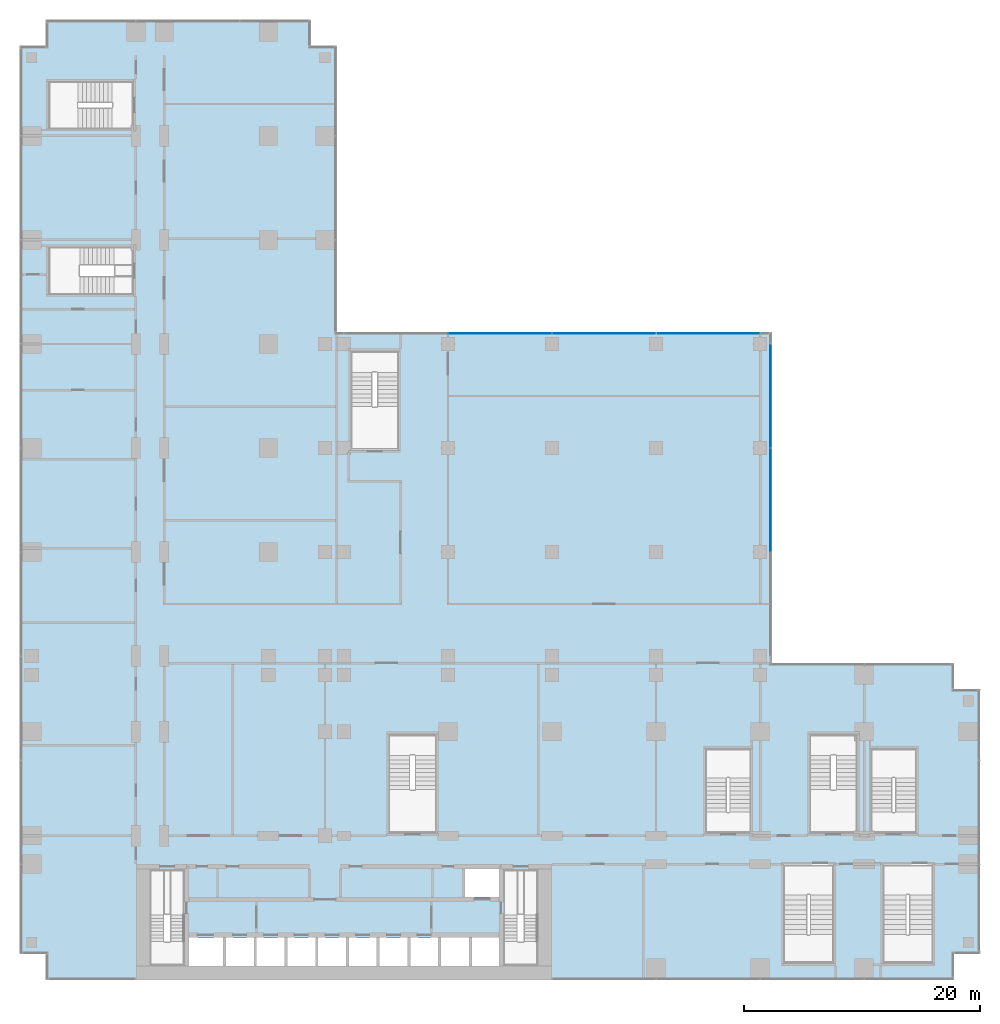
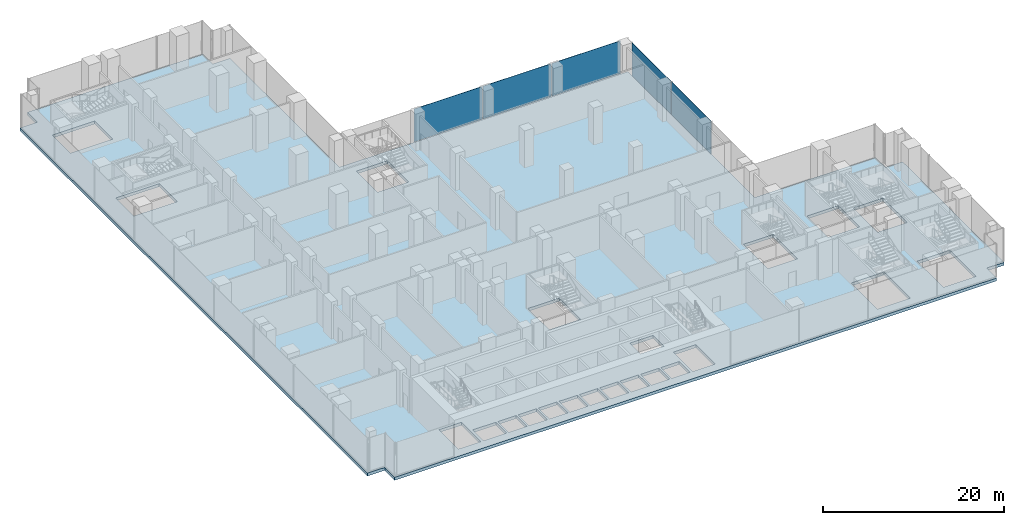
# One storey, part 15 of 30: 5 plates, 1 slab, 2 elements without a shape of their own.
"""IFC4 building model written with IfcOpenShell, lengths in metres."""

import ifcopenshell
import ifcopenshell.guid

model = None  # the IFC model being written
_history = None  # IfcOwnerHistory: only IFC2X3 demands one
_inside = {}  # id of a spatial element -> (the spatial element, [elements in it])
_under = {}  # id of a project, library or spatial element -> (it, [spatial elements below it])
_declared = {}  # id of a project -> (the project, [libraries it declares])
_typed = {}  # id of a type object -> (the type object, [elements of that type])
_made_of = {}  # id of a material, layer set ... -> (it, [elements and type objects made of it])


def new_model(schema):
    """Start an empty IFC model of exactly this schema.

    Asked for "IFC4X3", IfcOpenShell would pick the latest addendum, in which some entities
    have other attributes; the version numbers below select the first issue.
    IFC2X3 requires an IfcOwnerHistory on every rooted entity: one is made here for all.
    """
    global model, _history
    if schema == "IFC4X3":
        model = ifcopenshell.file(schema_version=(4, 3, 0, 0))
    else:
        model = ifcopenshell.file(schema=schema)
    _inside.clear()
    _under.clear()
    _declared.clear()
    _typed.clear()
    _made_of.clear()
    _history = None
    if model.schema == "IFC2X3":
        org = make("IfcOrganization", Name="unknown")
        user = make(
            "IfcPersonAndOrganization",
            ThePerson=make("IfcPerson", FamilyName="unknown"),
            TheOrganization=org,
        )
        app = make(
            "IfcApplication",
            ApplicationDeveloper=org,
            Version="unknown",
            ApplicationFullName="unknown",
            ApplicationIdentifier="unknown",
        )
        _history = make(
            "IfcOwnerHistory",
            OwningUser=user,
            OwningApplication=app,
            ChangeAction="ADDED",
            CreationDate=0,
        )
    return model


def make(cls, **values):
    """One entity of the class cls with the attributes given. An attribute that is None is left unset."""
    return model.create_entity(
        cls, **{name: value for name, value in values.items() if value is not None}
    )


def rooted(cls, **values):
    """An entity with a GlobalId (a new one), such as an element, a storey or a relation."""
    return make(cls, GlobalId=ifcopenshell.guid.new(), OwnerHistory=_history, **values)


def si_unit(unit_type, name, prefix=None):
    """IfcSIUnit, for example si_unit("LENGTHUNIT", "METRE", prefix="MILLI")."""
    return make("IfcSIUnit", UnitType=unit_type, Prefix=prefix, Name=name)


def assignment(units):
    """IfcUnitAssignment: the units of a project."""
    return None if units is None else make("IfcUnitAssignment", Units=units)


def point(xyz):
    """IfcCartesianPoint."""
    return None if xyz is None else make("IfcCartesianPoint", Coordinates=xyz)


def direction(xyz):
    """IfcDirection."""
    return None if xyz is None else make("IfcDirection", DirectionRatios=xyz)


def frame(location, z_axis=None, x_axis=None):
    """IfcAxis2Placement3D, a coordinate frame: its origin and axes. An axis left out is left unset."""
    return make(
        "IfcAxis2Placement3D",
        Location=point(location),
        Axis=direction(z_axis),
        RefDirection=direction(x_axis),
    )


def frame_2d(location, x_axis=None):
    """IfcAxis2Placement2D, a coordinate frame in the plane: its origin and x axis."""
    return make(
        "IfcAxis2Placement2D", Location=point(location), RefDirection=direction(x_axis)
    )


def origin():
    """The frame at (0, 0, 0) with its axes left unset."""
    return frame((0.0, 0.0, 0.0))


def origin_2d():
    """The frame at (0, 0) in the plane with its x axis left unset."""
    return frame_2d((0.0, 0.0))


def place(relative_to, where):
    """IfcLocalPlacement: puts the frame where relative to a parent placement (None: the world)."""
    return make(
        "IfcLocalPlacement", PlacementRelTo=relative_to, RelativePlacement=where
    )


def context(
    kind, dimensions, precision=None, world=None, true_north=None, identifier=None
):
    """IfcGeometricRepresentationContext, for example the 3D "Model" context."""
    return make(
        "IfcGeometricRepresentationContext",
        ContextIdentifier=identifier,
        ContextType=kind,
        CoordinateSpaceDimension=dimensions,
        Precision=precision,
        WorldCoordinateSystem=world,
        TrueNorth=true_north,
    )


def subcontext(parent, identifier, kind, view, scale=None):
    """IfcGeometricRepresentationSubContext, for example "Body" below "Model"."""
    return make(
        "IfcGeometricRepresentationSubContext",
        ContextIdentifier=identifier,
        ContextType=kind,
        ParentContext=parent,
        TargetScale=scale,
        TargetView=view,
    )


def project(units=None, contexts=None):
    """IfcProject with its units and contexts."""
    return rooted(
        "IfcProject",
        Name="project",
        RepresentationContexts=contexts,
        UnitsInContext=assignment(units),
    )


def spatial(cls, under=None, at=None, **own):
    """A site, building, storey or space (cls), placed at a placement, below another one or the project."""
    s = rooted(cls, ObjectPlacement=at, **own)
    if under is not None:
        _under.setdefault(under.id(), (under, []))[1].append(s)
    return s


def polyline(points):
    """IfcPolyline through the points."""
    return make("IfcPolyline", Points=[point(p) for p in points])


def profile(cls, at=None, kind="AREA", **sizes):
    """A parametric profile (cls). Its sizes go by their IFC names, for example OverallWidth=200.0."""
    return make(cls, ProfileType=kind, Position=at, **sizes)


def rectangle(**sizes):
    """IfcRectangleProfileDef."""
    return profile("IfcRectangleProfileDef", **sizes)


def outline(outer, holes=None, kind="AREA"):
    """IfcArbitraryClosedProfileDef: a profile drawn as a closed curve; with holes, ...WithVoids."""
    if holes is None:
        return make("IfcArbitraryClosedProfileDef", ProfileType=kind, OuterCurve=outer)
    return make(
        "IfcArbitraryProfileDefWithVoids",
        ProfileType=kind,
        OuterCurve=outer,
        InnerCurves=holes,
    )


def extrude(swept, where, along, depth):
    """IfcExtrudedAreaSolid: the profile swept, set in the frame where, extruded along a direction by depth."""
    return make(
        "IfcExtrudedAreaSolid",
        SweptArea=swept,
        Position=where,
        ExtrudedDirection=direction(along),
        Depth=depth,
    )


def shape(context_of_items, identifier, shape_type, items):
    """IfcShapeRepresentation: the items that make up one representation, for example the "Body"."""
    return make(
        "IfcShapeRepresentation",
        ContextOfItems=context_of_items,
        RepresentationIdentifier=identifier,
        RepresentationType=shape_type,
        Items=items,
    )


def source(mapping_origin, context_of_items, identifier, shape_type, items):
    """IfcRepresentationMap: a shape defined once, which mapped items show again and again."""
    return make(
        "IfcRepresentationMap",
        MappingOrigin=mapping_origin,
        MappedRepresentation=shape(context_of_items, identifier, shape_type, items),
    )


def transform(
    local_origin,
    x_axis=None,
    y_axis=None,
    z_axis=None,
    scale=None,
    scale2=None,
    scale3=None,
    uniform=True,
):
    """IfcCartesianTransformationOperator3D, or its non-uniform kind. x_axis, y_axis, z_axis: its Axis1, 2, 3."""
    if uniform:
        return make(
            "IfcCartesianTransformationOperator3D",
            Axis1=direction(x_axis),
            Axis2=direction(y_axis),
            LocalOrigin=point(local_origin),
            Scale=scale,
            Axis3=direction(z_axis),
        )
    return make(
        "IfcCartesianTransformationOperator3DnonUniform",
        Axis1=direction(x_axis),
        Axis2=direction(y_axis),
        LocalOrigin=point(local_origin),
        Scale=scale,
        Axis3=direction(z_axis),
        Scale2=scale2,
        Scale3=scale3,
    )


def mapped(mapping_source, mapping_target):
    """IfcMappedItem: shows the shape of a source again, moved by a transform."""
    return make(
        "IfcMappedItem", MappingSource=mapping_source, MappingTarget=mapping_target
    )


def material(Name=None, Category=None):
    """IfcMaterial."""
    return make("IfcMaterial", Name=Name, Category=Category)


def layer(
    of_material, thickness, ventilated=None, Name=None, Category=None, Priority=None
):
    """IfcMaterialLayer: one layer of a wall or slab, of a material (None: an air gap)."""
    return make(
        "IfcMaterialLayer",
        Material=of_material,
        LayerThickness=thickness,
        IsVentilated=ventilated,
        Name=Name,
        Category=Category,
        Priority=Priority,
    )


def layer_set(layers, Name=None):
    """IfcMaterialLayerSet."""
    return make("IfcMaterialLayerSet", MaterialLayers=layers, LayerSetName=Name)


def made_of(thing, what):
    """Note that an element or type object is made of a material, layer set ...; save() writes the relation."""
    if what is not None:
        _made_of.setdefault(what.id(), (what, []))[1].append(thing)
    return thing


def type_object(cls, material=None, **own):
    """A type object (cls), such as IfcWallType, which elements share."""
    return made_of(rooted(cls, **own), material)


def element(
    cls,
    number,
    at=None,
    inside=None,
    cuts=None,
    type_object=None,
    material=None,
    context=None,
    identifier="Body",
    shape_type=None,
    held_by="IfcProductDefinitionShape",
    body=None,
    shapes=None,
    **own,
):
    """One element of the class cls, such as IfcWall. Its Tag is "e" and its number.

    at: its placement. inside: the storey or other place that contains it. cuts: it is an
    opening in that element (IfcRelVoidsElement). A single representation is given by context,
    identifier, shape_type and body (its items); several are given by shapes. held_by: the class
    of the entity that holds the representations. save() writes the other relations.
    """
    e = rooted(cls, Tag="e%d" % number, ObjectPlacement=at, **own)
    if body is not None:
        shapes = [shape(context, identifier, shape_type, body)]
    if shapes is not None:
        e.Representation = make(held_by, Representations=shapes)
    if inside is not None:
        _inside.setdefault(inside.id(), (inside, []))[1].append(e)
    if cuts is not None:
        rooted(
            "IfcRelVoidsElement", RelatingBuildingElement=cuts, RelatedOpeningElement=e
        )
    if type_object is not None:
        _typed.setdefault(type_object.id(), (type_object, []))[1].append(e)
    return made_of(e, material)


def aggregate(whole, parts):
    """IfcRelAggregates: a whole, such as a stair, and the parts it consists of."""
    return rooted("IfcRelAggregates", RelatingObject=whole, RelatedObjects=parts)


def save(model, path):
    """Write the relations noted so far, then the file.

    IfcRelAggregates (storeys below a building ...), IfcRelContainedInSpatialStructure (elements
    in a storey), IfcRelDefinesByType, IfcRelAssociatesMaterial and IfcRelDeclares: one each for
    every whole, place, type object, material and project.
    """
    for whole, parts in _under.values():
        aggregate(whole, parts)
    for where, things in _inside.values():
        rooted(
            "IfcRelContainedInSpatialStructure",
            RelatedElements=things,
            RelatingStructure=where,
        )
    for kind, things in _typed.values():
        rooted("IfcRelDefinesByType", RelatedObjects=things, RelatingType=kind)
    for what, things in _made_of.values():
        rooted("IfcRelAssociatesMaterial", RelatedObjects=things, RelatingMaterial=what)
    for by, libraries in _declared.values():
        rooted("IfcRelDeclares", RelatingContext=by, RelatedDefinitions=libraries)
    model.write(path)


model = new_model("IFC4")

# Units and contexts
model_context = context("Model", 3, precision=1e-05, world=origin(), true_north=direction((0.0, 1.0)))
body_context = subcontext(model_context, "Body", "Model", "MODEL_VIEW")
ifc_project = project(units=[si_unit("LENGTHUNIT", "METRE"), si_unit("AREAUNIT", "SQUARE_METRE"), si_unit("VOLUMEUNIT", "CUBIC_METRE"), si_unit("PLANEANGLEUNIT", "RADIAN"), si_unit("MASSUNIT", "GRAM", prefix="KILO")], contexts=[model_context])

# Site, building, storey
site_placement = place(None, origin())
site = spatial("IfcSite", under=ifc_project, at=site_placement, CompositionType="ELEMENT")
building_placement = place(site_placement, origin())
building = spatial("IfcBuilding", under=site, at=building_placement, Name="Kemantara Hotel Tower", CompositionType="ELEMENT")
storey_placement = place(building_placement, frame((0.0, 0.0, 13.0)))
storey = spatial("IfcBuildingStorey", under=building, at=storey_placement, Name="L02", CompositionType="ELEMENT", Elevation=13.0)

# Slab
ifc_material_1 = material(Name="Concrete fc 40 MPa", Category="concrete")
ifc_layer_1 = layer(ifc_material_1, 0.39990234375)
ifc_layer_set_1 = layer_set([ifc_layer_1], Name="Concrete fc 40 MPa")
slab_type = type_object("IfcSlabType", Name="REINFORCED DECK SLAB 400", PredefinedType="FLOOR", material=ifc_layer_set_1)
slab_placement = place(storey_placement, frame((0.0, 0.0, -0.39990234375)))
element("IfcSlab", 1, at=slab_placement, inside=storey, type_object=slab_type, Name="FLOOR SLAB L02", PredefinedType="FLOOR", context=body_context, shape_type="SweptSolid", body=[
    extrude(outline(polyline([(0.0, 2.199951171875), (2.199951171875, 2.199951171875), (2.199951171875, 0.0), (79.0, 0.0), (79.0, 2.199951171875), (81.199951171875, 2.199951171875), (81.199951171875, 24.60009765625), (79.0, 24.60009765625), (79.0, 26.800048828125), (63.60009765625, 26.800048828125), (63.60009765625, 54.800048828125), (26.800048828125, 54.800048828125), (26.800048828125, 79.0), (24.60009765625, 79.0), (24.60009765625, 81.199951171875), (2.199951171875, 81.199951171875), (2.199951171875, 79.0), (0.0, 79.0), (0.0, 2.199951171875)]), holes=[polyline([(17.175048828125, 1.199951171875), (14.22509765625, 1.199951171875), (14.22509765625, 3.60009765625), (17.175048828125, 3.60009765625), (17.175048828125, 1.199951171875)]), polyline([(19.77490234375, 1.199951171875), (17.425048828125, 1.199951171875), (17.425048828125, 3.60009765625), (19.77490234375, 3.60009765625), (19.77490234375, 1.199951171875)]), polyline([(22.375, 1.199951171875), (20.02490234375, 1.199951171875), (20.02490234375, 3.60009765625), (22.375, 3.60009765625), (22.375, 1.199951171875)]), polyline([(22.625, 1.199951171875), (22.625, 3.60009765625), (24.97509765625, 3.60009765625), (24.97509765625, 1.199951171875), (22.625, 1.199951171875)]), polyline([(25.22509765625, 1.199951171875), (25.22509765625, 3.60009765625), (27.574951171875, 3.60009765625), (27.574951171875, 1.199951171875), (25.22509765625, 1.199951171875)]), polyline([(30.175048828125, 1.199951171875), (27.824951171875, 1.199951171875), (27.824951171875, 3.60009765625), (30.175048828125, 3.60009765625), (30.175048828125, 1.199951171875)]), polyline([(30.425048828125, 1.199951171875), (30.425048828125, 3.60009765625), (32.77490234375, 3.60009765625), (32.77490234375, 1.199951171875), (30.425048828125, 1.199951171875)]), polyline([(11.0, 5.49951171875), (13.89990234375, 5.49951171875), (13.89990234375, 1.199951171875), (11.0, 1.199951171875), (11.0, 5.49951171875)]), polyline([(32.0, 53.199951171875), (32.0, 48.50048828125), (28.0, 48.50048828125), (28.0, 53.199951171875), (32.0, 53.199951171875)]), polyline([(7.949462890625, 62.0), (7.949462890625, 58.0), (2.39990234375, 58.0), (2.39990234375, 62.0), (7.949462890625, 62.0)]), polyline([(7.79931640625, 76.0), (7.79931640625, 72.0), (2.39990234375, 72.0), (2.39990234375, 76.0), (7.79931640625, 76.0)]), polyline([(35.375, 1.199951171875), (33.02490234375, 1.199951171875), (33.02490234375, 3.60009765625), (35.375, 3.60009765625), (35.375, 1.199951171875)]), polyline([(37.97509765625, 1.199951171875), (35.625, 1.199951171875), (35.625, 3.60009765625), (37.97509765625, 3.60009765625), (37.97509765625, 1.199951171875)]), polyline([(40.574951171875, 1.199951171875), (38.22509765625, 1.199951171875), (38.22509765625, 3.60009765625), (40.574951171875, 3.60009765625), (40.574951171875, 1.199951171875)]), polyline([(40.89990234375, 5.49951171875), (43.800048828125, 5.49951171875), (43.800048828125, 1.199951171875), (40.89990234375, 1.199951171875), (40.89990234375, 5.49951171875)]), polyline([(64.60009765625, 7.199462890625), (68.800048828125, 7.199462890625), (68.800048828125, 1.39990234375), (64.60009765625, 1.39990234375), (64.60009765625, 7.199462890625)]), polyline([(73.0, 1.39990234375), (73.0, 7.199462890625), (77.199951171875, 7.199462890625), (77.199951171875, 1.39990234375), (73.0, 1.39990234375)]), polyline([(37.625, 7.0), (37.625, 9.39990234375), (40.574951171875, 9.39990234375), (40.574951171875, 7.0), (37.625, 7.0)]), polyline([(61.800048828125, 14.20068359375), (58.0, 14.20068359375), (58.0, 19.60009765625), (61.800048828125, 19.60009765625), (61.800048828125, 14.20068359375)]), polyline([(75.800048828125, 19.60009765625), (75.800048828125, 14.20068359375), (72.0, 14.20068359375), (72.0, 19.60009765625), (75.800048828125, 19.60009765625)]), polyline([(35.199951171875, 16.1005859375), (31.199951171875, 16.1005859375), (31.199951171875, 20.800048828125), (35.199951171875, 20.800048828125), (35.199951171875, 16.1005859375)]), polyline([(70.800048828125, 16.1005859375), (66.800048828125, 16.1005859375), (66.800048828125, 20.800048828125), (70.800048828125, 20.800048828125), (70.800048828125, 16.1005859375)])]), origin(), (0.0, 0.0, 1.0), 0.39990234375),
])

# Curtain wall, plates
ifc_material_2 = material(Name="Laminated tinted insulated glass 44 mm", Category="glass")
curtain_wall_type = type_object("IfcCurtainWallType", Name="PODIUM GLASS CURTAIN WALL", PredefinedType="USERDEFINED", material=ifc_material_2)
curtain_wall_1_placement = place(storey_placement, origin())
curtain_wall_1 = element("IfcCurtainWall", 2, at=curtain_wall_1_placement, inside=storey, type_object=curtain_wall_type, Name="CW1 L02 POD-R08-1", ObjectType="PODIUM GLASS CURTAIN WALL", PredefinedType="USERDEFINED")
ifc_layer_2 = layer(ifc_material_2, 0.0439453125)
ifc_layer_set_2 = layer_set([ifc_layer_2], Name="Laminated tinted insulated glass 44 mm")
plate_type = type_object("IfcPlateType", Name="PODIUM GLASS CURTAIN WALL PANEL", PredefinedType="CURTAIN_PANEL", material=ifc_layer_set_2)
shared_shape = source(origin(), body_context, "Body", "SweptSolid", [
    extrude(rectangle(XDim=8.72509765625, YDim=0.0439453125, at=origin_2d()), origin(), (0.0, 0.0, 1.0), 4.449951171875),
])
plate_1_placement = place(storey_placement, frame((63.5, 40.60009765625, 0.14990234375), z_axis=(0.0, 0.0, 1.0), x_axis=(0.0, 1.0, 0.0)))
plate_1 = element("IfcPlate", 3, at=plate_1_placement, type_object=plate_type, Name="CW1 glass panel POD-R08-1.3", PredefinedType="CURTAIN_PANEL", context=body_context, shape_type="MappedRepresentation", body=[
    mapped(shared_shape, transform((0.0, 0.0, 0.0))),
])
plate_2_placement = place(storey_placement, frame((63.5, 49.39990234375, 0.14990234375), z_axis=(0.0, 0.0, 1.0), x_axis=(0.0, 1.0, 0.0)))
plate_2 = element("IfcPlate", 4, at=plate_2_placement, type_object=plate_type, Name="CW1 glass panel POD-R08-1.4", PredefinedType="CURTAIN_PANEL", context=body_context, shape_type="MappedRepresentation", body=[
    mapped(shared_shape, transform((0.0, 0.0, 0.0))),
])
aggregate(curtain_wall_1, [plate_1, plate_2])

curtain_wall_2_placement = place(storey_placement, origin())
curtain_wall_2 = element("IfcCurtainWall", 5, at=curtain_wall_2_placement, inside=storey, type_object=curtain_wall_type, Name="CW1 L02 POD-R09-1", ObjectType="PODIUM GLASS CURTAIN WALL", PredefinedType="USERDEFINED")
plate_3_placement = place(storey_placement, frame((58.199951171875, 54.699951171875, 0.14990234375), z_axis=(0.0, 0.0, 1.0), x_axis=(-1.0, 0.0, 0.0)))
plate_3 = element("IfcPlate", 6, at=plate_3_placement, type_object=plate_type, Name="CW1 glass panel POD-R09-1.2", PredefinedType="CURTAIN_PANEL", context=body_context, shape_type="MappedRepresentation", body=[
    mapped(shared_shape, transform((0.0, 0.0, 0.0))),
])
plate_4_placement = place(storey_placement, frame((49.39990234375, 54.699951171875, 0.14990234375), z_axis=(0.0, 0.0, 1.0), x_axis=(-1.0, 0.0, 0.0)))
plate_4 = element("IfcPlate", 7, at=plate_4_placement, type_object=plate_type, Name="CW1 glass panel POD-R09-1.3", PredefinedType="CURTAIN_PANEL", context=body_context, shape_type="MappedRepresentation", body=[
    mapped(shared_shape, transform((0.0, 0.0, 0.0))),
])
plate_5_placement = place(storey_placement, frame((40.60009765625, 54.699951171875, 0.14990234375), z_axis=(0.0, 0.0, 1.0), x_axis=(-1.0, 0.0, 0.0)))
plate_5 = element("IfcPlate", 8, at=plate_5_placement, type_object=plate_type, Name="CW1 glass panel POD-R09-1.4", PredefinedType="CURTAIN_PANEL", context=body_context, shape_type="MappedRepresentation", body=[
    mapped(shared_shape, transform((0.0, 0.0, 0.0))),
])
aggregate(curtain_wall_2, [plate_3, plate_4, plate_5])

save(model, "model.ifc")
